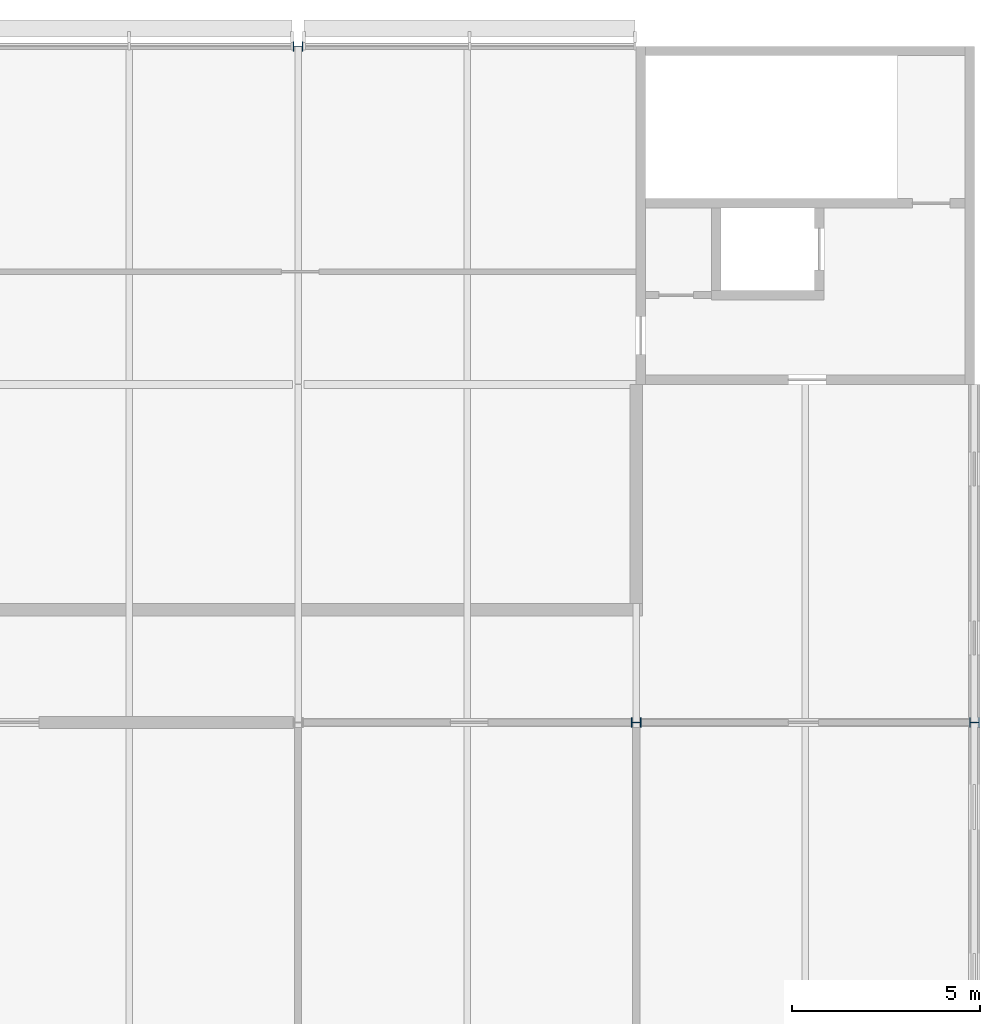
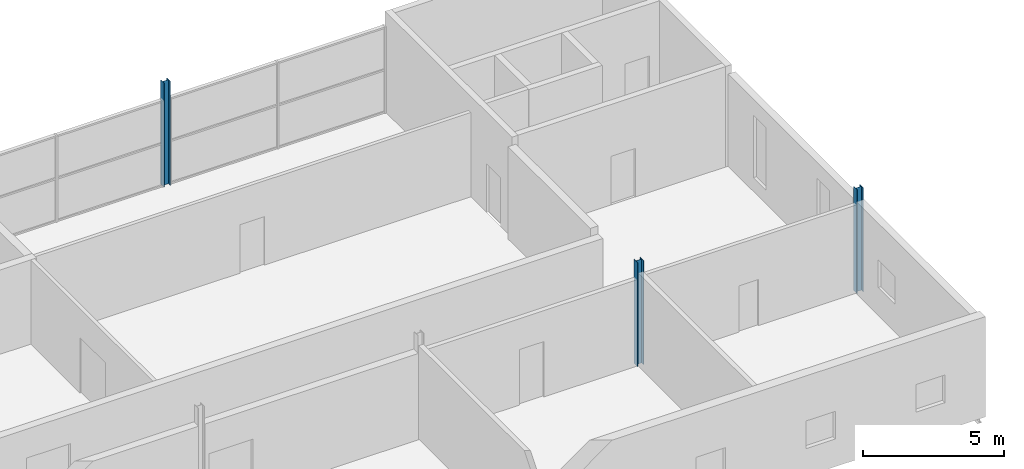
# One storey, part 26 of 138: 3 columns.
"""IFC4 building model written with IfcOpenShell, lengths in metres."""

from ifc_helpers import new_model, si_unit, direction, frame, origin, origin_2d, place, context, subcontext, project, spatial, i_section, extrude, material, material_profile, profile_set, type_object, element, save


model = new_model("IFC4")

# Units and contexts
model_context = context("Model", 3, precision=1e-05, world=origin(), true_north=direction((0.0, 1.0)))
body_context = subcontext(model_context, "Body", "Model", "MODEL_VIEW")
ifc_project = project(units=[si_unit("LENGTHUNIT", "METRE"), si_unit("AREAUNIT", "SQUARE_METRE"), si_unit("VOLUMEUNIT", "CUBIC_METRE"), si_unit("PLANEANGLEUNIT", "RADIAN"), si_unit("MASSUNIT", "GRAM", prefix="KILO")], contexts=[model_context])

# Site, building, storey
site_placement = place(None, origin())
site = spatial("IfcSite", under=ifc_project, at=site_placement, CompositionType="ELEMENT")
building_placement = place(site_placement, origin())
building = spatial("IfcBuilding", under=site, at=building_placement, Name="Corbel Yard City Hall", CompositionType="ELEMENT")
storey_placement = place(building_placement, frame((0.0, 0.0, 10.5)))
storey = spatial("IfcBuildingStorey", under=building, at=storey_placement, Name="L02", CompositionType="ELEMENT", Elevation=10.5)

# Columns
ifc_material = material(Name="Steel Grade 300 (300 MPa yield)", Category="steel")
ifc_material_profile_1 = material_profile(ifc_material, i_section(OverallWidth=0.25390625, OverallDepth=0.25390625, WebThickness=0.008544921875, FlangeThickness=0.01416015625, at=origin_2d()), Name="250UC72.9")
ifc_profile_set_1 = profile_set([ifc_material_profile_1], Name="Steel Grade 300 (300 MPa yield)")
column_type_1 = type_object("IfcColumnType", Name="Column 250UC72.9", PredefinedType="COLUMN", material=ifc_profile_set_1)
for number, where, z_axis, x_axis, name in (
    (1, (162.0, 117.0, 0.0), (0.0, 0.0, 1.0), (0.0, 1.0, 0.0), "Column 250UC72.9 N/19 L02"),
    (2, (180.0, 99.0, 0.0), (0.0, 0.0, 1.0), (0.0, 1.0, 0.0), "Column 250UC72.9 L/21 L02"),
):
    element("IfcColumn", number, at=place(storey_placement, frame(where, z_axis=z_axis, x_axis=x_axis)), inside=storey, type_object=column_type_1, Name=name, PredefinedType="COLUMN", context=body_context, shape_type="SweptSolid", body=[
        extrude(i_section(OverallWidth=0.25390625, OverallDepth=0.25390625, WebThickness=0.008544921875, FlangeThickness=0.01416015625, at=origin_2d()), origin(), (0.0, 0.0, 1.0), 4.5),
    ])
ifc_material_profile_2 = material_profile(ifc_material, i_section(OverallWidth=0.256103515625, OverallDepth=0.260009765625, WebThickness=0.010498046875, FlangeThickness=0.017333984375, at=origin_2d()), Name="250UC89.5")
ifc_profile_set_2 = profile_set([ifc_material_profile_2], Name="Steel Grade 300 (300 MPa yield)")
column_type_2 = type_object("IfcColumnType", Name="Column 250UC89.5", PredefinedType="COLUMN", material=ifc_profile_set_2)
column_placement = place(storey_placement, frame((171.0, 99.0, 0.0), z_axis=(0.0, 0.0, 1.0), x_axis=(0.0, 1.0, 0.0)))
element("IfcColumn", 3, at=column_placement, inside=storey, type_object=column_type_2, Name="Column 250UC89.5 L/20 L02", PredefinedType="COLUMN", context=body_context, shape_type="SweptSolid", body=[
    extrude(i_section(OverallWidth=0.256103515625, OverallDepth=0.260009765625, WebThickness=0.010498046875, FlangeThickness=0.017333984375, at=origin_2d()), origin(), (0.0, 0.0, 1.0), 4.5),
])

save(model, "model.ifc")
